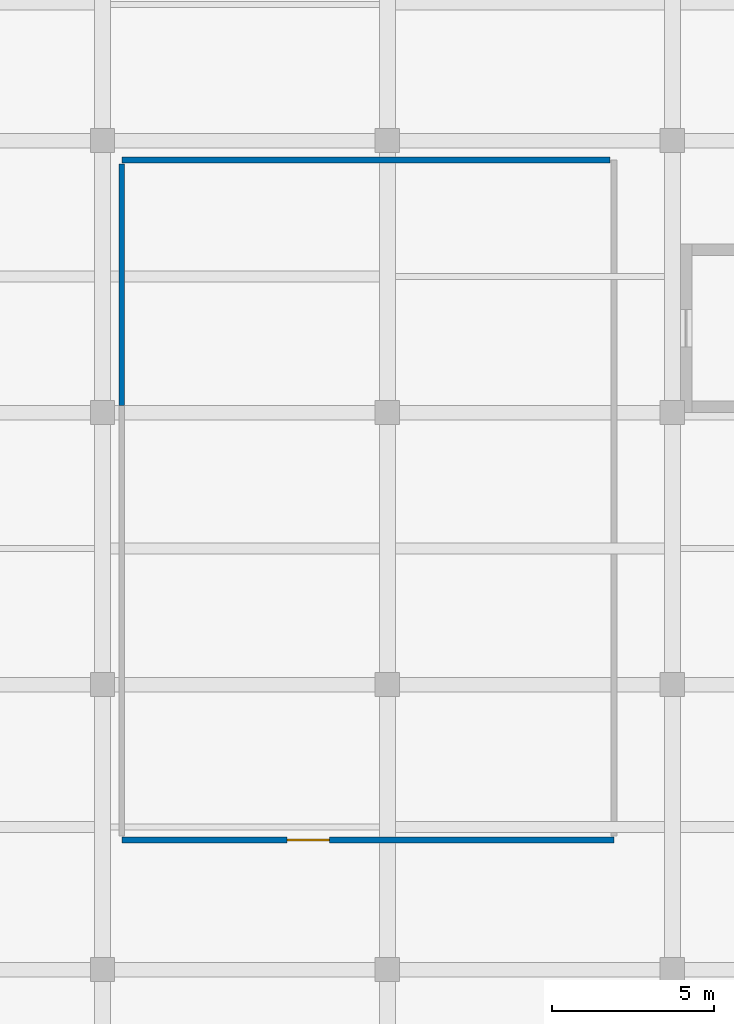
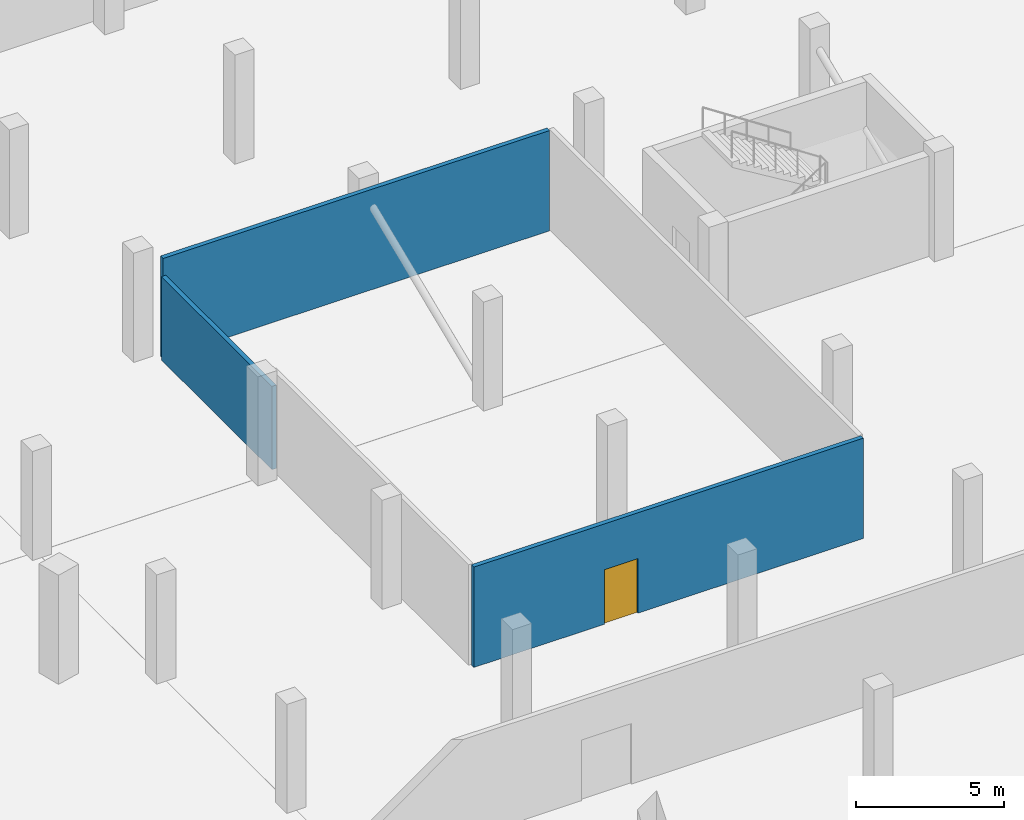
# One storey, part 23 of 31: 3 walls, 1 door, 1 opening.
"""IFC4 building model written with IfcOpenShell, lengths in metres."""

import ifcopenshell
import ifcopenshell.guid

model = None  # the IFC model being written
_history = None  # IfcOwnerHistory: only IFC2X3 demands one
_inside = {}  # id of a spatial element -> (the spatial element, [elements in it])
_under = {}  # id of a project, library or spatial element -> (it, [spatial elements below it])
_declared = {}  # id of a project -> (the project, [libraries it declares])
_typed = {}  # id of a type object -> (the type object, [elements of that type])
_made_of = {}  # id of a material, layer set ... -> (it, [elements and type objects made of it])


def new_model(schema):
    """Start an empty IFC model of exactly this schema.

    Asked for "IFC4X3", IfcOpenShell would pick the latest addendum, in which some entities
    have other attributes; the version numbers below select the first issue.
    IFC2X3 requires an IfcOwnerHistory on every rooted entity: one is made here for all.
    """
    global model, _history
    if schema == "IFC4X3":
        model = ifcopenshell.file(schema_version=(4, 3, 0, 0))
    else:
        model = ifcopenshell.file(schema=schema)
    _inside.clear()
    _under.clear()
    _declared.clear()
    _typed.clear()
    _made_of.clear()
    _history = None
    if model.schema == "IFC2X3":
        org = make("IfcOrganization", Name="unknown")
        user = make(
            "IfcPersonAndOrganization",
            ThePerson=make("IfcPerson", FamilyName="unknown"),
            TheOrganization=org,
        )
        app = make(
            "IfcApplication",
            ApplicationDeveloper=org,
            Version="unknown",
            ApplicationFullName="unknown",
            ApplicationIdentifier="unknown",
        )
        _history = make(
            "IfcOwnerHistory",
            OwningUser=user,
            OwningApplication=app,
            ChangeAction="ADDED",
            CreationDate=0,
        )
    return model


def make(cls, **values):
    """One entity of the class cls with the attributes given. An attribute that is None is left unset."""
    return model.create_entity(
        cls, **{name: value for name, value in values.items() if value is not None}
    )


def rooted(cls, **values):
    """An entity with a GlobalId (a new one), such as an element, a storey or a relation."""
    return make(cls, GlobalId=ifcopenshell.guid.new(), OwnerHistory=_history, **values)


def si_unit(unit_type, name, prefix=None):
    """IfcSIUnit, for example si_unit("LENGTHUNIT", "METRE", prefix="MILLI")."""
    return make("IfcSIUnit", UnitType=unit_type, Prefix=prefix, Name=name)


def assignment(units):
    """IfcUnitAssignment: the units of a project."""
    return None if units is None else make("IfcUnitAssignment", Units=units)


def point(xyz):
    """IfcCartesianPoint."""
    return None if xyz is None else make("IfcCartesianPoint", Coordinates=xyz)


def direction(xyz):
    """IfcDirection."""
    return None if xyz is None else make("IfcDirection", DirectionRatios=xyz)


def frame(location, z_axis=None, x_axis=None):
    """IfcAxis2Placement3D, a coordinate frame: its origin and axes. An axis left out is left unset."""
    return make(
        "IfcAxis2Placement3D",
        Location=point(location),
        Axis=direction(z_axis),
        RefDirection=direction(x_axis),
    )


def frame_2d(location, x_axis=None):
    """IfcAxis2Placement2D, a coordinate frame in the plane: its origin and x axis."""
    return make(
        "IfcAxis2Placement2D", Location=point(location), RefDirection=direction(x_axis)
    )


def origin():
    """The frame at (0, 0, 0) with its axes left unset."""
    return frame((0.0, 0.0, 0.0))


def place(relative_to, where):
    """IfcLocalPlacement: puts the frame where relative to a parent placement (None: the world)."""
    return make(
        "IfcLocalPlacement", PlacementRelTo=relative_to, RelativePlacement=where
    )


def context(
    kind, dimensions, precision=None, world=None, true_north=None, identifier=None
):
    """IfcGeometricRepresentationContext, for example the 3D "Model" context."""
    return make(
        "IfcGeometricRepresentationContext",
        ContextIdentifier=identifier,
        ContextType=kind,
        CoordinateSpaceDimension=dimensions,
        Precision=precision,
        WorldCoordinateSystem=world,
        TrueNorth=true_north,
    )


def subcontext(parent, identifier, kind, view, scale=None):
    """IfcGeometricRepresentationSubContext, for example "Body" below "Model"."""
    return make(
        "IfcGeometricRepresentationSubContext",
        ContextIdentifier=identifier,
        ContextType=kind,
        ParentContext=parent,
        TargetScale=scale,
        TargetView=view,
    )


def project(units=None, contexts=None):
    """IfcProject with its units and contexts."""
    return rooted(
        "IfcProject",
        Name="project",
        RepresentationContexts=contexts,
        UnitsInContext=assignment(units),
    )


def spatial(cls, under=None, at=None, **own):
    """A site, building, storey or space (cls), placed at a placement, below another one or the project."""
    s = rooted(cls, ObjectPlacement=at, **own)
    if under is not None:
        _under.setdefault(under.id(), (under, []))[1].append(s)
    return s


def profile(cls, at=None, kind="AREA", **sizes):
    """A parametric profile (cls). Its sizes go by their IFC names, for example OverallWidth=200.0."""
    return make(cls, ProfileType=kind, Position=at, **sizes)


def rectangle(**sizes):
    """IfcRectangleProfileDef."""
    return profile("IfcRectangleProfileDef", **sizes)


def extrude(swept, where, along, depth):
    """IfcExtrudedAreaSolid: the profile swept, set in the frame where, extruded along a direction by depth."""
    return make(
        "IfcExtrudedAreaSolid",
        SweptArea=swept,
        Position=where,
        ExtrudedDirection=direction(along),
        Depth=depth,
    )


def shape(context_of_items, identifier, shape_type, items):
    """IfcShapeRepresentation: the items that make up one representation, for example the "Body"."""
    return make(
        "IfcShapeRepresentation",
        ContextOfItems=context_of_items,
        RepresentationIdentifier=identifier,
        RepresentationType=shape_type,
        Items=items,
    )


def material(Name=None, Category=None):
    """IfcMaterial."""
    return make("IfcMaterial", Name=Name, Category=Category)


def layer(
    of_material, thickness, ventilated=None, Name=None, Category=None, Priority=None
):
    """IfcMaterialLayer: one layer of a wall or slab, of a material (None: an air gap)."""
    return make(
        "IfcMaterialLayer",
        Material=of_material,
        LayerThickness=thickness,
        IsVentilated=ventilated,
        Name=Name,
        Category=Category,
        Priority=Priority,
    )


def layer_set(layers, Name=None):
    """IfcMaterialLayerSet."""
    return make("IfcMaterialLayerSet", MaterialLayers=layers, LayerSetName=Name)


def made_of(thing, what):
    """Note that an element or type object is made of a material, layer set ...; save() writes the relation."""
    if what is not None:
        _made_of.setdefault(what.id(), (what, []))[1].append(thing)
    return thing


def type_object(cls, material=None, **own):
    """A type object (cls), such as IfcWallType, which elements share."""
    return made_of(rooted(cls, **own), material)


def element(
    cls,
    number,
    at=None,
    inside=None,
    cuts=None,
    type_object=None,
    material=None,
    context=None,
    identifier="Body",
    shape_type=None,
    held_by="IfcProductDefinitionShape",
    body=None,
    shapes=None,
    **own,
):
    """One element of the class cls, such as IfcWall. Its Tag is "e" and its number.

    at: its placement. inside: the storey or other place that contains it. cuts: it is an
    opening in that element (IfcRelVoidsElement). A single representation is given by context,
    identifier, shape_type and body (its items); several are given by shapes. held_by: the class
    of the entity that holds the representations. save() writes the other relations.
    """
    e = rooted(cls, Tag="e%d" % number, ObjectPlacement=at, **own)
    if body is not None:
        shapes = [shape(context, identifier, shape_type, body)]
    if shapes is not None:
        e.Representation = make(held_by, Representations=shapes)
    if inside is not None:
        _inside.setdefault(inside.id(), (inside, []))[1].append(e)
    if cuts is not None:
        rooted(
            "IfcRelVoidsElement", RelatingBuildingElement=cuts, RelatedOpeningElement=e
        )
    if type_object is not None:
        _typed.setdefault(type_object.id(), (type_object, []))[1].append(e)
    return made_of(e, material)


def fill(opening, filler):
    """IfcRelFillsElement: the door or window that sits in an opening."""
    return rooted(
        "IfcRelFillsElement",
        RelatingOpeningElement=opening,
        RelatedBuildingElement=filler,
    )


def aggregate(whole, parts):
    """IfcRelAggregates: a whole, such as a stair, and the parts it consists of."""
    return rooted("IfcRelAggregates", RelatingObject=whole, RelatedObjects=parts)


def save(model, path):
    """Write the relations noted so far, then the file.

    IfcRelAggregates (storeys below a building ...), IfcRelContainedInSpatialStructure (elements
    in a storey), IfcRelDefinesByType, IfcRelAssociatesMaterial and IfcRelDeclares: one each for
    every whole, place, type object, material and project.
    """
    for whole, parts in _under.values():
        aggregate(whole, parts)
    for where, things in _inside.values():
        rooted(
            "IfcRelContainedInSpatialStructure",
            RelatedElements=things,
            RelatingStructure=where,
        )
    for kind, things in _typed.values():
        rooted("IfcRelDefinesByType", RelatedObjects=things, RelatingType=kind)
    for what, things in _made_of.values():
        rooted("IfcRelAssociatesMaterial", RelatedObjects=things, RelatingMaterial=what)
    for by, libraries in _declared.values():
        rooted("IfcRelDeclares", RelatingContext=by, RelatedDefinitions=libraries)
    model.write(path)


model = new_model("IFC4")

# Units and contexts
model_context = context("Model", 3, precision=1e-05, world=origin(), true_north=direction((0.0, 1.0)))
body_context = subcontext(model_context, "Body", "Model", "MODEL_VIEW")
ifc_project = project(units=[si_unit("LENGTHUNIT", "METRE"), si_unit("AREAUNIT", "SQUARE_METRE"), si_unit("VOLUMEUNIT", "CUBIC_METRE"), si_unit("PLANEANGLEUNIT", "RADIAN"), si_unit("MASSUNIT", "GRAM", prefix="KILO")], contexts=[model_context])

# Site, building, storey
site_placement = place(None, origin())
site = spatial("IfcSite", under=ifc_project, at=site_placement, CompositionType="ELEMENT")
building_placement = place(site_placement, origin())
building = spatial("IfcBuilding", under=site, at=building_placement, Name="Meriwether Solvik Hall", CompositionType="ELEMENT")
storey_placement = place(building_placement, frame((0.0, 0.0, -4.5)))
storey = spatial("IfcBuildingStorey", under=building, at=storey_placement, Name="B01", CompositionType="ELEMENT", Elevation=-4.5)

# Wall, opening, door
ifc_material_1 = material(Name="Fire-Rated Type X Gypsum Board", Category="gypsum")
ifc_layer = layer(ifc_material_1, 0.175048828125)
ifc_layer_set = layer_set([ifc_layer], Name="Fire-Rated Type X Gypsum Board")
wall_type = type_object("IfcWallType", Name="WALL-CORR-175", PredefinedType="PARTITIONING", material=ifc_layer_set)
wall_1_placement = place(storey_placement, frame((123.60009765625, 45.199951171875, 0.0), z_axis=(0.0, 0.0, 1.0), x_axis=(1.0, 0.0, 0.0)))
wall_1 = element("IfcWall", 1, at=wall_1_placement, inside=storey, type_object=wall_type, Name="B01 Interior Partition jan_b01_s", PredefinedType="PARTITIONING", context=body_context, shape_type="SweptSolid", body=[
    extrude(rectangle(XDim=15.199951171875, YDim=0.175048828125, at=frame_2d((7.60009765625, 0.0))), origin(), (0.0, 0.0, 1.0), 4.139892578125),
])
opening_placement = place(wall_1_placement, frame((5.10595703125, 0.0, 0.0)))
opening = element("IfcOpeningElement", 2, at=opening_placement, cuts=wall_1, Name="Opening D-162", PredefinedType="OPENING", context=body_context, shape_type="SweptSolid", body=[
    extrude(rectangle(XDim=1.300048828125, YDim=2.25, at=frame_2d((0.64990234375, 1.125))), frame((0.0, 0.099609375, 0.0), z_axis=(0.0, -1.0, 0.0), x_axis=(1.0, 0.0, 0.0)), (0.0, 0.0, 1.0), 0.198974609375),
])
ifc_material_2 = material(Name="Steel A36 Galvanised", Category="steel")
door_type = type_object("IfcDoorType", Name="DR-FD60-1300L", OperationType="SINGLE_SWING_LEFT", PredefinedType="DOOR", material=ifc_material_2)
door_placement = place(opening_placement, origin())
door = element("IfcDoor", 3, at=door_placement, inside=storey, type_object=door_type, Name="Central Custodial and Loading Supply Store Door", OperationType="SINGLE_SWING_LEFT", OverallHeight=2.25, OverallWidth=1.300048828125, PredefinedType="DOOR", context=body_context, shape_type="SweptSolid", body=[
    extrude(rectangle(XDim=1.300048828125, YDim=2.25, at=frame_2d((0.64990234375, 1.125))), frame((0.0, 0.02490234375, 0.0), z_axis=(0.0, -1.0, 0.0), x_axis=(1.0, 0.0, 0.0)), (0.0, 0.0, 1.0), 0.050048828125),
])
fill(opening, door)

# Walls
wall_2_placement = place(storey_placement, frame((138.679931640625, 66.199951171875, 0.0), z_axis=(0.0, 0.0, 1.0), x_axis=(-1.0, 0.0, 0.0)))
element("IfcWall", 4, at=wall_2_placement, inside=storey, type_object=wall_type, Name="B01 Interior Partition jan_b01_n", PredefinedType="PARTITIONING", context=body_context, shape_type="SweptSolid", body=[
    extrude(rectangle(XDim=15.079833984375, YDim=0.175048828125, at=frame_2d((7.5400390625, 0.0))), origin(), (0.0, 0.0, 1.0), 4.139892578125),
])
wall_3_placement = place(storey_placement, frame((123.60009765625, 66.080078125, 0.0), z_axis=(0.0, 0.0, 1.0), x_axis=(0.0, -1.0, 0.0)))
element("IfcWall", 5, at=wall_3_placement, inside=storey, type_object=wall_type, Name="B01 Interior Partition jan_b01_w", PredefinedType="PARTITIONING", context=body_context, shape_type="SweptSolid", body=[
    extrude(rectangle(XDim=7.465087890625, YDim=0.175048828125, at=frame_2d((3.732421875, 0.0))), origin(), (0.0, 0.0, 1.0), 3.43994140625),
])

save(model, "model.ifc")
